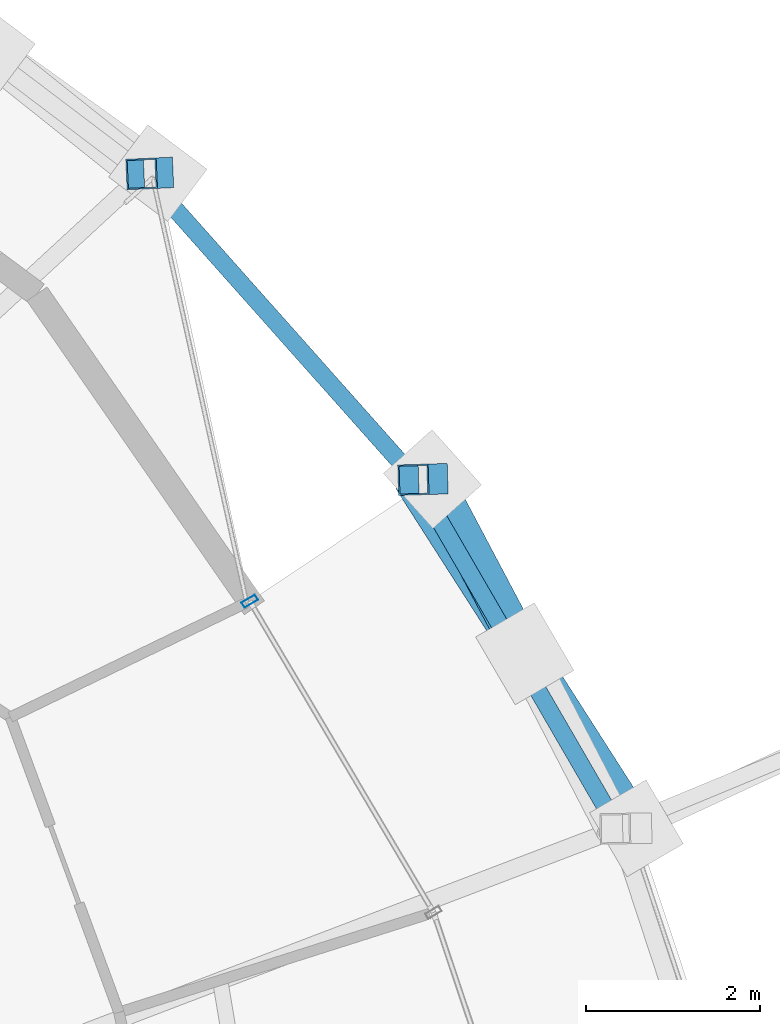
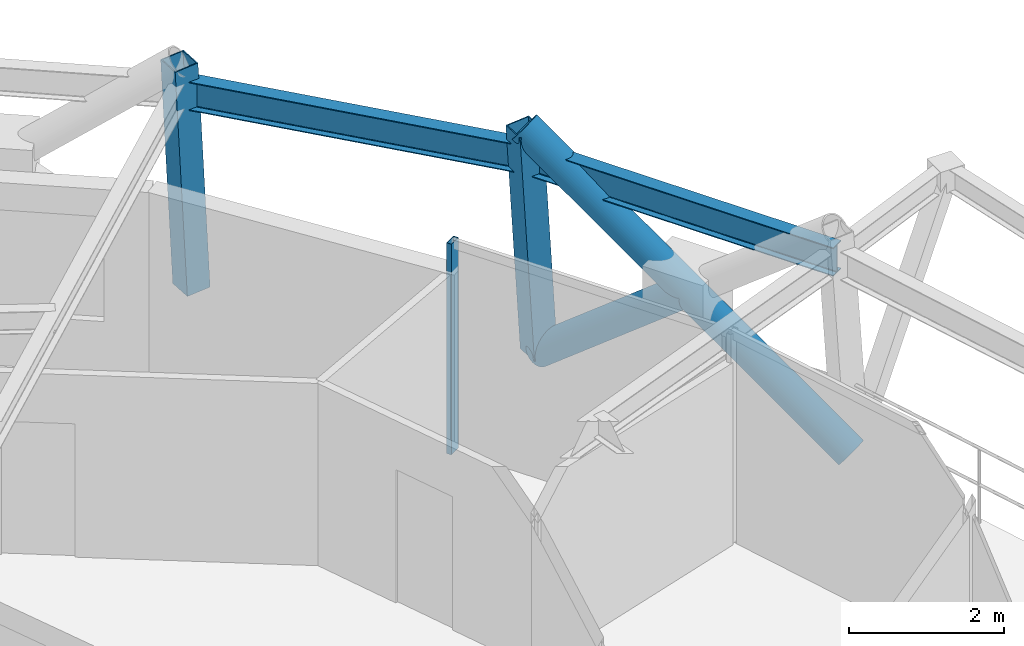
# One storey, part 11 of 18: 5 members, 2 beams, 1 element without a shape of its own.
"""IFC4 building model written with IfcOpenShell, lengths in metres."""

from ifc_helpers import new_model, si_unit, direction, frame, origin, origin_2d, place, context, subcontext, project, spatial, hollow_rectangle, hollow_circle, i_section, extrude, material, layer, layer_set, material_profile, profile_set, type_object, element, aggregate, save


model = new_model("IFC4")

# Units and contexts
model_context = context("Model", 3, precision=1e-05, world=origin(), true_north=direction((0.0, 1.0)))
body_context = subcontext(model_context, "Body", "Model", "MODEL_VIEW")
ifc_project = project(units=[si_unit("LENGTHUNIT", "METRE"), si_unit("AREAUNIT", "SQUARE_METRE"), si_unit("VOLUMEUNIT", "CUBIC_METRE"), si_unit("PLANEANGLEUNIT", "RADIAN"), si_unit("MASSUNIT", "GRAM", prefix="KILO")], contexts=[model_context])

# Site, building, storey
site_placement = place(None, origin())
site = spatial("IfcSite", under=ifc_project, at=site_placement, CompositionType="ELEMENT")
building_placement = place(site_placement, origin())
building = spatial("IfcBuilding", under=site, at=building_placement, Name="Veldorina Hangang Commons", CompositionType="ELEMENT")
storey_placement = place(building_placement, frame((0.0, 0.0, 218.39990234375)))
storey = spatial("IfcBuildingStorey", under=building, at=storey_placement, Name="L56", CompositionType="ELEMENT", Elevation=218.39990234375)

# Beams
ifc_material_1 = material(Name="Steel SM355-TMC", Category="steel")
ifc_material_profile_1 = material_profile(ifc_material_1, i_section(OverallWidth=0.199951171875, OverallDepth=0.449951171875, WebThickness=0.009033203125, FlangeThickness=0.013916015625, FilletRadius=0.01611328125, at=origin_2d()), Name="H-450x200x9x14")
ifc_profile_set_1 = profile_set([ifc_material_profile_1], Name="Steel SM355-TMC")
beam_type = type_object("IfcBeamType", Name="BM-RB450", PredefinedType="BEAM", material=ifc_profile_set_1)
beam_1_placement = place(storey_placement, frame((55.18896484375, 32.861328125, 3.135009765625), z_axis=(-0.501306631992, 0.865269704035, 0.0), x_axis=(-0.865269704035, -0.501306631992, 0.0)))
element("IfcBeam", 1, at=beam_1_placement, inside=storey, type_object=beam_type, Name="L56 perimeter hoop ring beam 02", PredefinedType="BEAM", context=body_context, shape_type="SweptSolid", body=[
    extrude(i_section(OverallWidth=0.199951171875, OverallDepth=0.449951171875, WebThickness=0.009033203125, FlangeThickness=0.013916015625, FilletRadius=0.01611328125, at=origin_2d()), origin(), (0.0, 0.0, 1.0), 4.626953125),
])
beam_2_placement = place(storey_placement, frame((52.869384765625, 36.864990234375, 3.135009765625), z_axis=(-0.664650971926, 0.747153990498, 0.0), x_axis=(-0.747153990498, -0.664650971926, 0.0)))
element("IfcBeam", 2, at=beam_2_placement, inside=storey, type_object=beam_type, Name="L56 perimeter hoop ring beam 03", PredefinedType="BEAM", context=body_context, shape_type="SweptSolid", body=[
    extrude(i_section(OverallWidth=0.199951171875, OverallDepth=0.449951171875, WebThickness=0.009033203125, FlangeThickness=0.013916015625, FilletRadius=0.01611328125, at=origin_2d()), origin(), (0.0, 0.0, 1.0), 4.6962890625),
])

# Curtain wall, member
ifc_material_2 = material(Name="Glass Low-E Selective", Category="glass")
ifc_layer = layer(ifc_material_2, 0.179931640625)
ifc_layer_set = layer_set([ifc_layer], Name="Glass Low-E Selective")
curtain_wall_type = type_object("IfcCurtainWallType", Name="CW-SYS-Z3", PredefinedType="NOTDEFINED", material=ifc_layer_set)
curtain_wall_placement = place(storey_placement, origin())
curtain_wall = element("IfcCurtainWall", 3, at=curtain_wall_placement, inside=storey, type_object=curtain_wall_type, Name="L56 unitised curtain wall CW-L56-R2", PredefinedType="NOTDEFINED")
ifc_material_3 = material(Name="Aluminium Anodized AA6063-T6", Category="aluminium")
ifc_material_profile_2 = material_profile(ifc_material_3, hollow_rectangle(XDim=0.070068359375, YDim=0.179931640625, WallThickness=0.00390625, at=origin_2d()), Name="ALU-RHS-180x70x4")
ifc_profile_set_2 = profile_set([ifc_material_profile_2], Name="Aluminium Anodized AA6063-T6")
member_type_1 = type_object("IfcMemberType", Name="CW-MUL-180", PredefinedType="MULLION", material=ifc_profile_set_2)
member_1_placement = place(storey_placement, frame((50.964599609375, 35.470703125, 0.0), z_axis=(0.0, 0.0, 1.0), x_axis=(0.508470438106, -0.861079446725, 0.0)))
member_1 = element("IfcMember", 4, at=member_1_placement, type_object=member_type_1, Name="CW-L56-R2 vertical mullion 5", PredefinedType="MULLION", context=body_context, shape_type="SweptSolid", body=[
    extrude(hollow_rectangle(XDim=0.070068359375, YDim=0.179931640625, WallThickness=0.00390625, at=origin_2d()), origin(), (0.0, 0.0, 1.0), 3.320068359375),
])
aggregate(curtain_wall, [member_1])

# Members
ifc_material_profile_3 = material_profile(ifc_material_1, hollow_circle(Radius=0.22509765625, WallThickness=0.02197265625, at=origin_2d()), Name="CHS-450x22")
ifc_profile_set_3 = profile_set([ifc_material_profile_3], Name="Steel SM355-TMC")
member_type_2 = type_object("IfcMemberType", Name="DG-CHS450", PredefinedType="BRACE", material=ifc_profile_set_3)
member_2_placement = place(storey_placement, frame((55.400634765625, 32.865478515625, 0.0), z_axis=(-0.42955298396, 0.671107390184, 0.604234312838), x_axis=(-0.842246183169, -0.539093096725, 0.0)))
element("IfcMember", 5, at=member_2_placement, inside=storey, type_object=member_type_2, Name="L56 continuous perimeter diagrid brace 02", PredefinedType="BRACE", context=body_context, shape_type="SweptSolid", body=[
    extrude(hollow_circle(Radius=0.22509765625, WallThickness=0.02197265625, at=origin_2d()), origin(), (0.0, 0.0, 1.0), 5.9580078125),
])
member_3_placement = place(storey_placement, frame((53.06005859375, 36.87060546875, 0.0), z_axis=(0.36573154919, -0.691744500346, 0.622679677015), x_axis=(0.884044685648, 0.467402389572, 0.0)))
element("IfcMember", 6, at=member_3_placement, inside=storey, type_object=member_type_2, Name="L56 split perimeter diagrid lower brace 03", PredefinedType="BRACE", context=body_context, shape_type="SweptSolid", body=[
    extrude(hollow_circle(Radius=0.22509765625, WallThickness=0.02197265625, at=origin_2d()), origin(), (0.0, 0.0, 1.0), 2.89501953125),
])
ifc_material_profile_4 = material_profile(ifc_material_1, hollow_rectangle(XDim=0.35009765625, YDim=0.35009765625, WallThickness=0.01611328125, at=origin_2d()), Name="SHS-350x350x16")
ifc_profile_set_4 = profile_set([ifc_material_profile_4], Name="Steel SM355-TMC")
member_type_3 = type_object("IfcMemberType", Name="STR-SHS350", PredefinedType="STRUT", material=ifc_profile_set_4)
member_4_placement = place(storey_placement, frame((53.06005859375, 36.87060546875, 0.0), z_axis=(-0.060650280349, -0.001827631216, 0.998157404049), x_axis=(0.03012025627, -0.999546282151, 0.0)))
element("IfcMember", 7, at=member_4_placement, inside=storey, type_object=member_type_3, Name="L56 perimeter ring node post 03", PredefinedType="STRUT", context=body_context, shape_type="SweptSolid", body=[
    extrude(hollow_rectangle(XDim=0.35009765625, YDim=0.35009765625, WallThickness=0.01611328125, at=origin_2d()), origin(), (0.0, 0.0, 1.0), 3.606689453125),
])
member_5_placement = place(storey_placement, frame((49.91015625, 40.38134765625, 0.0), z_axis=(-0.051606029266, -0.002370355675, 0.998664708076), x_axis=(0.045883383338, -0.998946802955, 0.0)))
element("IfcMember", 8, at=member_5_placement, inside=storey, type_object=member_type_3, Name="L56 perimeter ring node post 04", PredefinedType="STRUT", context=body_context, shape_type="SweptSolid", body=[
    extrude(hollow_rectangle(XDim=0.35009765625, YDim=0.35009765625, WallThickness=0.01611328125, at=origin_2d()), origin(), (0.0, 0.0, 1.0), 3.60498046875),
])

save(model, "model.ifc")
